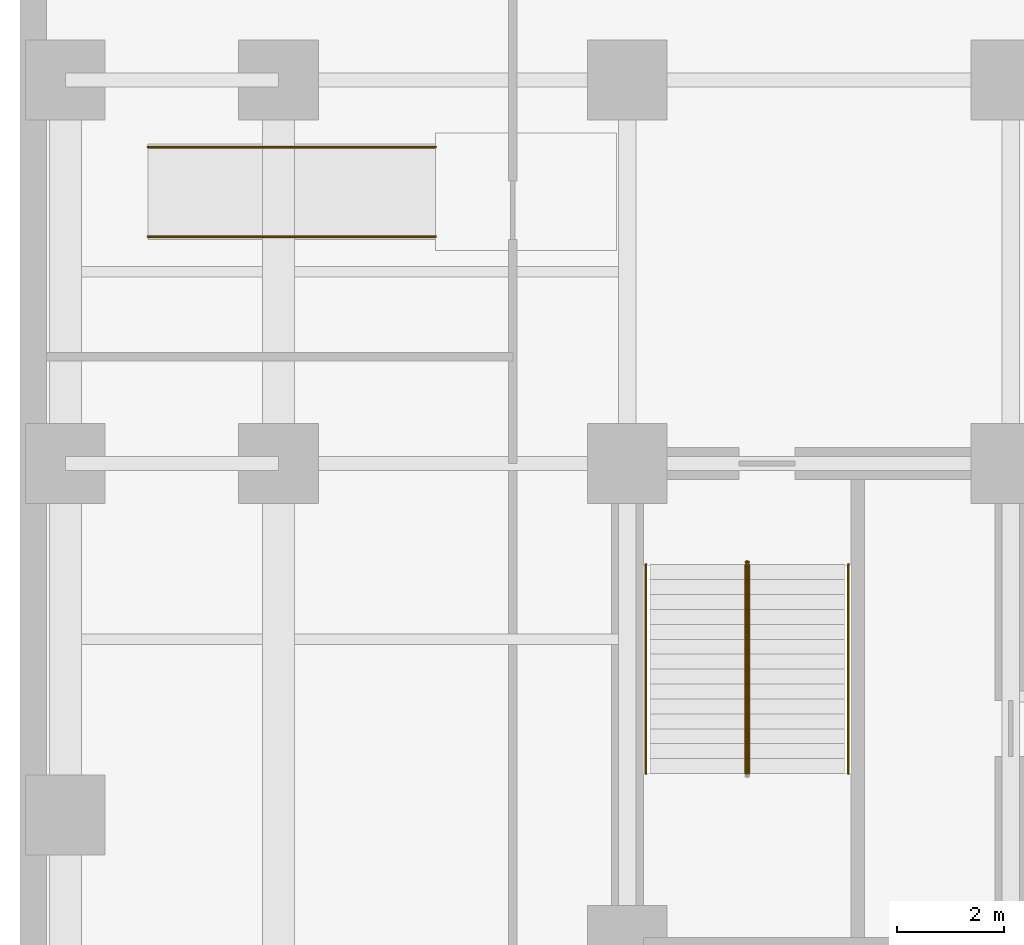
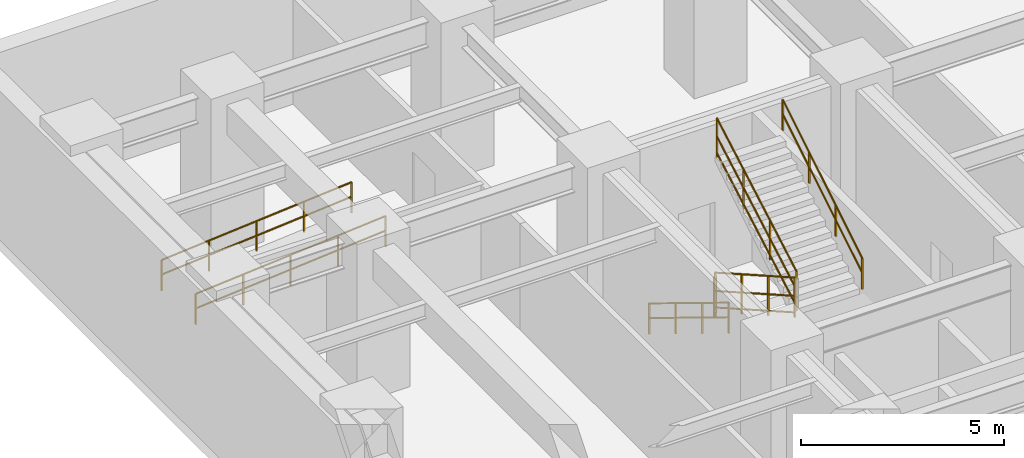
# One storey, part 9 of 9: 7 railings.
"""IFC4 building model written with IfcOpenShell, lengths in metres."""

from ifc_helpers import new_model, entity, si_unit, converted_unit, direction, frame, origin_with_axes, origin_2d_with_axis, place, context, subcontext, project, spatial, rectangle, circle, extrude, material, type_object, element, save


model = new_model("IFC4")

# Units and contexts
model_context = context("Model", 3, precision=1e-05, world=origin_with_axes(), true_north=direction((0.0, 1.0)))
body_context = subcontext(model_context, "Body", "Model", "MODEL_VIEW")
ifc_project = project(units=[si_unit("LENGTHUNIT", "METRE"), si_unit("AREAUNIT", "SQUARE_METRE"), si_unit("VOLUMEUNIT", "CUBIC_METRE"), converted_unit("PLANEANGLEUNIT", "DEGREE", entity("IfcPlaneAngleMeasure", 0.017453292519943295), si_unit("PLANEANGLEUNIT", "RADIAN"), dimensions=[0, 0, 0, 0, 0, 0, 0]), si_unit("MASSUNIT", "GRAM", prefix="KILO"), si_unit("THERMODYNAMICTEMPERATUREUNIT", "KELVIN")], contexts=[model_context])

# Site, building, storey
site_placement = place(None, origin_with_axes())
site = spatial("IfcSite", under=ifc_project, at=site_placement, CompositionType="ELEMENT")
building_placement = place(site_placement, origin_with_axes())
building = spatial("IfcBuilding", under=site, at=building_placement, Name="Varnlund Millrace Tower", CompositionType="ELEMENT")
storey_placement = place(building_placement, frame((0.0, 0.0, -4.8), z_axis=(0.0, 0.0, 1.0), x_axis=(1.0, 0.0, 0.0)))
storey = spatial("IfcBuildingStorey", under=building, at=storey_placement, Name="B1", CompositionType="ELEMENT", Elevation=-4.8)

# Railings
ifc_material_1 = material(Name="Painted steel stair well balustrade guard", Category="steel")
railing_type_1 = type_object("IfcRailingType", Name="Type-StairGuard-1150", PredefinedType="GUARDRAIL", material=ifc_material_1)
railing_1_placement = place(storey_placement, frame((0.0, 0.0, 4.8), z_axis=(0.0, 0.0, 1.0), x_axis=(1.0, 0.0, 0.0)))
element("IfcRailing", 1, at=railing_1_placement, inside=storey, type_object=railing_type_1, Name="Type-StairGuard-1150", PredefinedType="GUARDRAIL", context=body_context, shape_type="SweptSolid", body=[
    extrude(circle(Radius=0.024, at=origin_2d_with_axis()), frame((13.625, 35.9, -3.478571), z_axis=(0.0, -0.869333, 0.494227), x_axis=(1.0, 0.0, 0.0)), (0.0, 0.0, 1.0), 4.509205),
    extrude(circle(Radius=0.024, at=origin_2d_with_axis()), frame((13.625, 35.9, -4.528571), z_axis=(0.0, -0.869333, 0.494227), x_axis=(1.0, 0.0, 0.0)), (0.0, 0.0, 1.0), 4.509205),
    extrude(circle(Radius=0.024, at=origin_2d_with_axis()), frame((13.625, 35.9, -4.030571), z_axis=(0.0, -0.869333, 0.494227), x_axis=(1.0, 0.0, 0.0)), (0.0, 0.0, 1.0), 4.509205),
    extrude(rectangle(XDim=0.04, YDim=0.04, at=origin_2d_with_axis()), frame((13.625, 35.9, -4.668571), z_axis=(0.0, 0.0, 1.0), x_axis=(1.0, 0.0, 0.0)), (0.0, 0.0, 1.0), 1.19),
    extrude(rectangle(XDim=0.04, YDim=0.04, at=origin_2d_with_axis()), frame((13.625, 34.593333, -3.925714), z_axis=(0.0, 0.0, 1.0), x_axis=(1.0, 0.0, 0.0)), (0.0, 0.0, 1.0), 1.19),
    extrude(rectangle(XDim=0.04, YDim=0.04, at=origin_2d_with_axis()), frame((13.625, 33.286667, -3.182857), z_axis=(0.0, 0.0, 1.0), x_axis=(1.0, 0.0, 0.0)), (0.0, 0.0, 1.0), 1.19),
    extrude(rectangle(XDim=0.04, YDim=0.04, at=origin_2d_with_axis()), frame((13.625, 31.98, -2.44), z_axis=(0.0, 0.0, 1.0), x_axis=(1.0, 0.0, 0.0)), (0.0, 0.0, 1.0), 1.19),
])
railing_2_placement = place(storey_placement, frame((0.0, 0.0, 4.8), z_axis=(0.0, 0.0, 1.0), x_axis=(1.0, 0.0, 0.0)))
element("IfcRailing", 2, at=railing_2_placement, inside=storey, type_object=railing_type_1, Name="Type-StairGuard-1150", PredefinedType="GUARDRAIL", context=body_context, shape_type="SweptSolid", body=[
    extrude(circle(Radius=0.024, at=origin_2d_with_axis()), frame((13.675, 31.98, -1.078571), z_axis=(0.0, 0.869333, 0.494227), x_axis=(-1.0, 0.0, 0.0)), (0.0, 0.0, 1.0), 4.509205),
    extrude(circle(Radius=0.024, at=origin_2d_with_axis()), frame((13.675, 31.98, -2.128571), z_axis=(0.0, 0.869333, 0.494227), x_axis=(-1.0, 0.0, 0.0)), (0.0, 0.0, 1.0), 4.509205),
    extrude(circle(Radius=0.024, at=origin_2d_with_axis()), frame((13.675, 31.98, -1.630571), z_axis=(0.0, 0.869333, 0.494227), x_axis=(-1.0, 0.0, 0.0)), (0.0, 0.0, 1.0), 4.509205),
    extrude(rectangle(XDim=0.04, YDim=0.04, at=origin_2d_with_axis()), frame((13.675, 31.98, -2.268571), z_axis=(0.0, 0.0, 1.0), x_axis=(1.0, 0.0, 0.0)), (0.0, 0.0, 1.0), 1.19),
    extrude(rectangle(XDim=0.04, YDim=0.04, at=origin_2d_with_axis()), frame((13.675, 33.286667, -1.525714), z_axis=(0.0, 0.0, 1.0), x_axis=(1.0, 0.0, 0.0)), (0.0, 0.0, 1.0), 1.19),
    extrude(rectangle(XDim=0.04, YDim=0.04, at=origin_2d_with_axis()), frame((13.675, 34.593333, -0.782857), z_axis=(0.0, 0.0, 1.0), x_axis=(1.0, 0.0, 0.0)), (0.0, 0.0, 1.0), 1.19),
    extrude(rectangle(XDim=0.04, YDim=0.04, at=origin_2d_with_axis()), frame((13.675, 35.9, -0.04), z_axis=(0.0, 0.0, 1.0), x_axis=(1.0, 0.0, 0.0)), (0.0, 0.0, 1.0), 1.19),
])
railing_3_placement = place(storey_placement, frame((0.0, 0.0, 4.8), z_axis=(0.0, 0.0, 1.0), x_axis=(1.0, 0.0, 0.0)))
element("IfcRailing", 3, at=railing_3_placement, inside=storey, type_object=railing_type_1, Name="Type-StairGuard-1150", PredefinedType="GUARDRAIL", context=body_context, shape_type="SweptSolid", body=[
    extrude(circle(Radius=0.024, at=origin_2d_with_axis()), frame((13.675, 35.95, -3.65), z_axis=(-1.0, 0.0, 0.0), x_axis=(0.0, -1.0, 0.0)), (0.0, 0.0, 1.0), 0.05),
    extrude(circle(Radius=0.024, at=origin_2d_with_axis()), frame((13.675, 35.95, -4.7), z_axis=(-1.0, 0.0, 0.0), x_axis=(0.0, -1.0, 0.0)), (0.0, 0.0, 1.0), 0.05),
    extrude(circle(Radius=0.024, at=origin_2d_with_axis()), frame((13.675, 35.95, -4.202), z_axis=(-1.0, 0.0, 0.0), x_axis=(0.0, -1.0, 0.0)), (0.0, 0.0, 1.0), 0.05),
    extrude(rectangle(XDim=0.04, YDim=0.04, at=origin_2d_with_axis()), frame((13.675, 35.95, -4.84), z_axis=(0.0, 0.0, 1.0), x_axis=(1.0, 0.0, 0.0)), (0.0, 0.0, 1.0), 1.19),
    extrude(rectangle(XDim=0.04, YDim=0.04, at=origin_2d_with_axis()), frame((13.625, 35.95, -4.84), z_axis=(0.0, 0.0, 1.0), x_axis=(1.0, 0.0, 0.0)), (0.0, 0.0, 1.0), 1.19),
])
ifc_material_2 = material(Name="Brushed architectural bronze stair handrail", Category="aluminium")
railing_type_2 = type_object("IfcRailingType", Name="Type-StairHandrail-900", PredefinedType="HANDRAIL", material=ifc_material_2)
railing_4_placement = place(storey_placement, frame((0.0, 0.0, 4.8), z_axis=(0.0, 0.0, 1.0), x_axis=(1.0, 0.0, 0.0)))
element("IfcRailing", 4, at=railing_4_placement, inside=storey, type_object=railing_type_2, Name="Type-StairHandrail-900", PredefinedType="HANDRAIL", context=body_context, shape_type="SweptSolid", body=[
    extrude(circle(Radius=0.024, at=origin_2d_with_axis()), frame((11.75, 35.9, -3.749039), z_axis=(0.0, -0.852851, 0.522154), x_axis=(1.0, 0.0, 0.0)), (0.0, 0.0, 1.0), 4.596346),
    extrude(circle(Radius=0.024, at=origin_2d_with_axis()), frame((11.75, 35.9, -4.188805), z_axis=(0.0, -0.852851, 0.522154), x_axis=(1.0, 0.0, 0.0)), (0.0, 0.0, 1.0), 4.596346),
    extrude(rectangle(XDim=0.04, YDim=0.04, at=origin_2d_with_axis()), frame((11.75, 35.9, -4.668571), z_axis=(0.0, 0.0, 1.0), x_axis=(1.0, 0.0, 0.0)), (0.0, 0.0, 1.0), 0.919532),
    extrude(rectangle(XDim=0.04, YDim=0.04, at=origin_2d_with_axis()), frame((11.75, 34.593333, -3.868571), z_axis=(0.0, 0.0, 1.0), x_axis=(1.0, 0.0, 0.0)), (0.0, 0.0, 1.0), 0.919532),
    extrude(rectangle(XDim=0.04, YDim=0.04, at=origin_2d_with_axis()), frame((11.75, 33.286667, -3.068571), z_axis=(0.0, 0.0, 1.0), x_axis=(1.0, 0.0, 0.0)), (0.0, 0.0, 1.0), 0.919532),
    extrude(rectangle(XDim=0.04, YDim=0.04, at=origin_2d_with_axis()), frame((11.75, 31.98, -2.268571), z_axis=(0.0, 0.0, 1.0), x_axis=(1.0, 0.0, 0.0)), (0.0, 0.0, 1.0), 0.919532),
])
railing_5_placement = place(storey_placement, frame((0.0, 0.0, 4.8), z_axis=(0.0, 0.0, 1.0), x_axis=(1.0, 0.0, 0.0)))
element("IfcRailing", 5, at=railing_5_placement, inside=storey, type_object=railing_type_2, Name="Type-StairHandrail-900", PredefinedType="HANDRAIL", context=body_context, shape_type="SweptSolid", body=[
    extrude(circle(Radius=0.024, at=origin_2d_with_axis()), frame((15.55, 31.98, -1.349039), z_axis=(0.0, 0.852851, 0.522154), x_axis=(-1.0, 0.0, 0.0)), (0.0, 0.0, 1.0), 4.596346),
    extrude(circle(Radius=0.024, at=origin_2d_with_axis()), frame((15.55, 31.98, -1.788805), z_axis=(0.0, 0.852851, 0.522154), x_axis=(-1.0, 0.0, 0.0)), (0.0, 0.0, 1.0), 4.596346),
    extrude(rectangle(XDim=0.04, YDim=0.04, at=origin_2d_with_axis()), frame((15.55, 31.98, -2.268571), z_axis=(0.0, 0.0, 1.0), x_axis=(1.0, 0.0, 0.0)), (0.0, 0.0, 1.0), 0.919532),
    extrude(rectangle(XDim=0.04, YDim=0.04, at=origin_2d_with_axis()), frame((15.55, 33.286667, -1.468571), z_axis=(0.0, 0.0, 1.0), x_axis=(1.0, 0.0, 0.0)), (0.0, 0.0, 1.0), 0.919532),
    extrude(rectangle(XDim=0.04, YDim=0.04, at=origin_2d_with_axis()), frame((15.55, 34.593333, -0.668571), z_axis=(0.0, 0.0, 1.0), x_axis=(1.0, 0.0, 0.0)), (0.0, 0.0, 1.0), 0.919532),
    extrude(rectangle(XDim=0.04, YDim=0.04, at=origin_2d_with_axis()), frame((15.55, 35.9, 0.131429), z_axis=(0.0, 0.0, 1.0), x_axis=(1.0, 0.0, 0.0)), (0.0, 0.0, 1.0), 0.919532),
])
railing_6_placement = place(storey_placement, frame((0.0, 0.0, 4.8), z_axis=(0.0, 0.0, 1.0), x_axis=(1.0, 0.0, 0.0)))
element("IfcRailing", 6, at=railing_6_placement, inside=storey, type_object=railing_type_2, Name="Type-StairHandrail-900", PredefinedType="HANDRAIL", context=body_context, shape_type="SweptSolid", body=[
    extrude(circle(Radius=0.024, at=origin_2d_with_axis()), frame((2.4, 42.06, -3.923917), z_axis=(0.996546, 0.0, 0.083045), x_axis=(0.0, 1.0, 0.0)), (0.0, 0.0, 1.0), 5.418718),
    extrude(circle(Radius=0.024, at=origin_2d_with_axis()), frame((2.4, 42.06, -4.361959), z_axis=(0.996546, 0.0, 0.083045), x_axis=(0.0, 1.0, 0.0)), (0.0, 0.0, 1.0), 5.418718),
    extrude(rectangle(XDim=0.04, YDim=0.04, at=origin_2d_with_axis()), frame((2.4, 42.06, -4.84), z_axis=(0.0, 0.0, 1.0), x_axis=(1.0, 0.0, 0.0)), (0.0, 0.0, 1.0), 0.916083),
    extrude(rectangle(XDim=0.04, YDim=0.04, at=origin_2d_with_axis()), frame((3.75, 42.06, -4.7275), z_axis=(0.0, 0.0, 1.0), x_axis=(1.0, 0.0, 0.0)), (0.0, 0.0, 1.0), 0.916083),
    extrude(rectangle(XDim=0.04, YDim=0.04, at=origin_2d_with_axis()), frame((5.1, 42.06, -4.615), z_axis=(0.0, 0.0, 1.0), x_axis=(1.0, 0.0, 0.0)), (0.0, 0.0, 1.0), 0.916083),
    extrude(rectangle(XDim=0.04, YDim=0.04, at=origin_2d_with_axis()), frame((6.45, 42.06, -4.5025), z_axis=(0.0, 0.0, 1.0), x_axis=(1.0, 0.0, 0.0)), (0.0, 0.0, 1.0), 0.916083),
    extrude(rectangle(XDim=0.04, YDim=0.04, at=origin_2d_with_axis()), frame((7.8, 42.06, -4.39), z_axis=(0.0, 0.0, 1.0), x_axis=(1.0, 0.0, 0.0)), (0.0, 0.0, 1.0), 0.916083),
])
railing_7_placement = place(storey_placement, frame((0.0, 0.0, 4.8), z_axis=(0.0, 0.0, 1.0), x_axis=(1.0, 0.0, 0.0)))
element("IfcRailing", 7, at=railing_7_placement, inside=storey, type_object=railing_type_2, Name="Type-StairHandrail-900", PredefinedType="HANDRAIL", context=body_context, shape_type="SweptSolid", body=[
    extrude(circle(Radius=0.024, at=origin_2d_with_axis()), frame((2.4, 43.74, -3.923917), z_axis=(0.996546, 0.0, 0.083045), x_axis=(0.0, 1.0, 0.0)), (0.0, 0.0, 1.0), 5.418718),
    extrude(circle(Radius=0.024, at=origin_2d_with_axis()), frame((2.4, 43.74, -4.361959), z_axis=(0.996546, 0.0, 0.083045), x_axis=(0.0, 1.0, 0.0)), (0.0, 0.0, 1.0), 5.418718),
    extrude(rectangle(XDim=0.04, YDim=0.04, at=origin_2d_with_axis()), frame((2.4, 43.74, -4.84), z_axis=(0.0, 0.0, 1.0), x_axis=(1.0, 0.0, 0.0)), (0.0, 0.0, 1.0), 0.916083),
    extrude(rectangle(XDim=0.04, YDim=0.04, at=origin_2d_with_axis()), frame((3.75, 43.74, -4.7275), z_axis=(0.0, 0.0, 1.0), x_axis=(1.0, 0.0, 0.0)), (0.0, 0.0, 1.0), 0.916083),
    extrude(rectangle(XDim=0.04, YDim=0.04, at=origin_2d_with_axis()), frame((5.1, 43.74, -4.615), z_axis=(0.0, 0.0, 1.0), x_axis=(1.0, 0.0, 0.0)), (0.0, 0.0, 1.0), 0.916083),
    extrude(rectangle(XDim=0.04, YDim=0.04, at=origin_2d_with_axis()), frame((6.45, 43.74, -4.5025), z_axis=(0.0, 0.0, 1.0), x_axis=(1.0, 0.0, 0.0)), (0.0, 0.0, 1.0), 0.916083),
    extrude(rectangle(XDim=0.04, YDim=0.04, at=origin_2d_with_axis()), frame((7.8, 43.74, -4.39), z_axis=(0.0, 0.0, 1.0), x_axis=(1.0, 0.0, 0.0)), (0.0, 0.0, 1.0), 0.916083),
])

save(model, "model.ifc")
